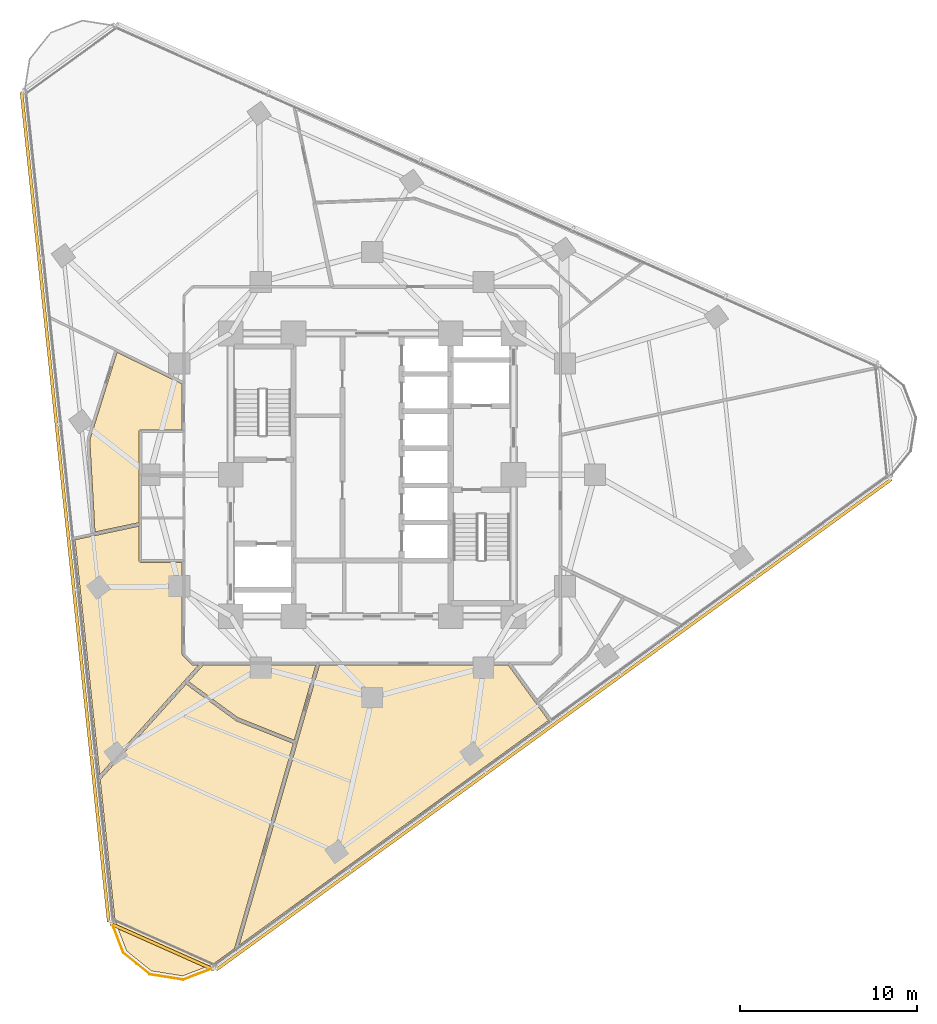
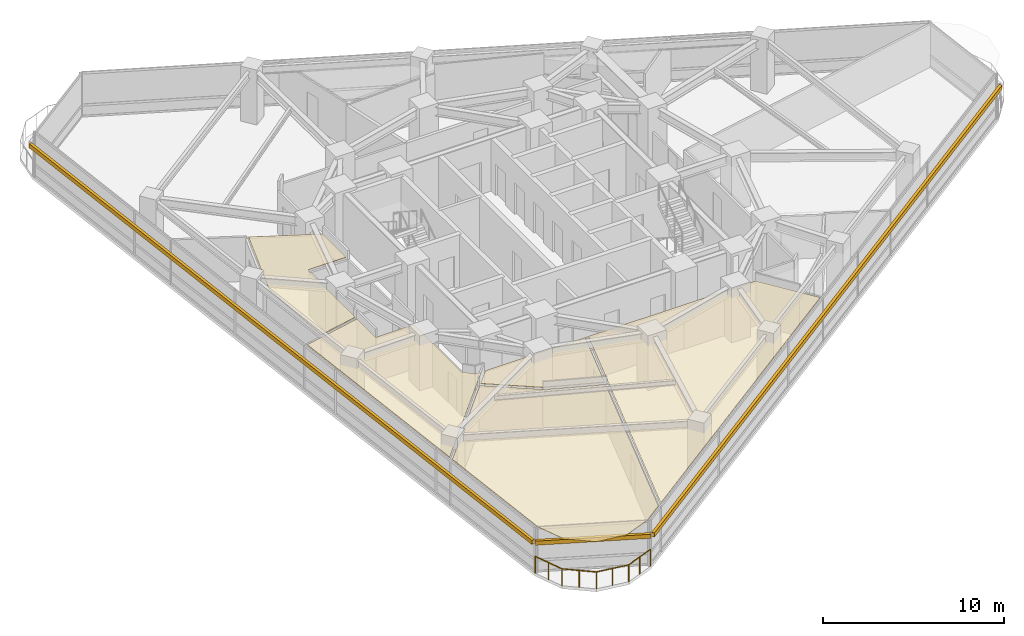
# One storey, part 12 of 14: 5 coverings, 3 shading devices, 1 railing.
"""IFC4 building model written with IfcOpenShell, lengths in metres."""

from ifc_helpers import new_model, si_unit, direction, frame, origin, origin_2d, place, context, subcontext, project, spatial, polyline, rectangle, circle, outline, extrude, material, layer, layer_set, type_object, element, save


model = new_model("IFC4")

# Units and contexts
model_context = context("Model", 3, precision=1e-05, world=origin(), true_north=direction((0.0, 1.0)))
body_context = subcontext(model_context, "Body", "Model", "MODEL_VIEW")
ifc_project = project(units=[si_unit("LENGTHUNIT", "METRE"), si_unit("AREAUNIT", "SQUARE_METRE"), si_unit("VOLUMEUNIT", "CUBIC_METRE"), si_unit("PLANEANGLEUNIT", "RADIAN"), si_unit("MASSUNIT", "GRAM", prefix="KILO")], contexts=[model_context])

# Site, building, storey
site_placement = place(None, origin())
site = spatial("IfcSite", under=ifc_project, at=site_placement, CompositionType="ELEMENT")
building_placement = place(site_placement, origin())
building = spatial("IfcBuilding", under=site, at=building_placement, Name="Terralouvre Media Tower", CompositionType="ELEMENT")
storey_placement = place(building_placement, frame((0.0, 0.0, 173.10009765625)))
storey = spatial("IfcBuildingStorey", under=building, at=storey_placement, Name="L44", CompositionType="ELEMENT", Elevation=173.10009765625)

# Coverings
ifc_material_1 = material(Name="Perforated aluminium acoustic ceiling baffle", Category="aluminium")
ifc_layer_1 = layer(ifc_material_1, 0.0400390625, Name="Perforated Acoustic Metal Tile Ceiling CL-AC1")
ifc_layer_set_1 = layer_set([ifc_layer_1], Name="Perforated aluminium acoustic ceiling baffle")
covering_type = type_object("IfcCoveringType", Name="Perforated Acoustic Metal Tile Ceiling CL-AC1", PredefinedType="CEILING", material=ifc_layer_set_1)
covering_1_placement = place(storey_placement, frame((0.0, 0.0, 2.97998046875), z_axis=(0.0, 0.0, 1.0), x_axis=(0.809016994375, 0.587785252292, 0.0)))
element("IfcCovering", 1, at=covering_1_placement, inside=storey, type_object=covering_type, Name="L44 Journalism Training Classroom 1 Acoustic Ceiling", PredefinedType="CEILING", context=body_context, shape_type="SweptSolid", body=[
    extrude(outline(polyline([(-14.258056640625, -2.9287109375), (-14.5302734375, -2.73095703125), (-14.537841796875, -2.724853515625), (-14.544921875, -2.718017578125), (-14.55126953125, -2.71044921875), (-14.556640625, -2.7021484375), (-14.561279296875, -2.693603515625), (-14.565185546875, -2.6845703125), (-14.568115234375, -2.67529296875), (-14.570068359375, -2.665771484375), (-14.680908203125, -1.96728515625), (-14.681884765625, -1.95751953125), (-14.681884765625, -1.94775390625), (-14.68115234375, -1.93798828125), (-14.67919921875, -1.92822265625), (-14.676513671875, -1.918701171875), (-14.6728515625, -1.90966796875), (-14.668212890625, -1.901123046875), (-14.662841796875, -1.892822265625), (-11.6064453125, 2.31396484375), (-13.507568359375, 3.6953125), (-13.515380859375, 3.701416015625), (-13.522216796875, 3.708251953125), (-13.528564453125, 3.7158203125), (-13.5341796875, 3.72412109375), (-13.538818359375, 3.732666015625), (-13.542724609375, 3.74169921875), (-13.545654296875, 3.7509765625), (-13.547607421875, 3.760498046875), (-13.548583984375, 3.7705078125), (-13.548828125, 3.780029296875), (-13.5478515625, 3.7900390625), (-13.546142578125, 3.799560546875), (-13.54345703125, 3.80908203125), (-13.539794921875, 3.818115234375), (-13.53515625, 3.826904296875), (-13.52978515625, 3.8349609375), (-12.387939453125, 5.406494140625), (-14.775390625, 6.469482421875), (-15.7626953125, 6.908447265625), (-22.447265625, -4.668701171875), (-15.429931640625, -3.177490234375), (-14.258056640625, -2.9287109375)])), origin(), (0.0, 0.0, 1.0), 0.0400390625),
])
covering_2_placement = place(storey_placement, frame((0.0, 0.0, 2.97998046875), z_axis=(0.0, 0.0, 1.0), x_axis=(0.809016994375, 0.587785252292, 0.0)))
element("IfcCovering", 2, at=covering_2_placement, inside=storey, type_object=covering_type, Name="L44 Broadcast Ethics Seminar Room 2 Acoustic Ceiling", PredefinedType="CEILING", context=body_context, shape_type="SweptSolid", body=[
    extrude(outline(polyline([(-14.228271484375, -6.634765625), (-12.387939453125, -9.5517578125), (-8.896728515625, -6.82373046875), (-14.040283203125, -3.0869140625), (-15.280029296875, -3.35009765625), (-14.228271484375, -6.634765625)])), origin(), (0.0, 0.0, 1.0), 0.0400390625),
])
covering_3_placement = place(storey_placement, frame((0.0, 0.0, 2.97998046875), z_axis=(0.0, 0.0, 1.0), x_axis=(0.809016994375, 0.587785252292, 0.0)))
element("IfcCovering", 3, at=covering_3_placement, inside=storey, type_object=covering_type, Name="L44 Voice Coaching Interview Room 3 Acoustic Ceiling", PredefinedType="CEILING", context=body_context, shape_type="SweptSolid", body=[
    extrude(outline(polyline([(-14.404296875, -6.730712890625), (-14.408447265625, -6.723388671875), (-14.411865234375, -6.7158203125), (-14.4150390625, -6.7080078125), (-15.476806640625, -3.391845703125), (-22.581787109375, -4.901611328125), (-26.59912109375, -11.860107421875), (-27.072509765625, -13.62548828125), (-26.60693359375, -15.362060546875), (-25.3359375, -16.632568359375), (-23.571044921875, -17.10546875), (-22.056396484375, -17.105712890625), (-12.54638671875, -9.675537109375), (-14.404296875, -6.730712890625)])), origin(), (0.0, 0.0, 1.0), 0.0400390625),
])
covering_4_placement = place(storey_placement, frame((0.0, 0.0, 2.97998046875), z_axis=(0.0, 0.0, 1.0), x_axis=(0.809016994375, 0.587785252292, 0.0)))
element("IfcCovering", 4, at=covering_4_placement, inside=storey, type_object=covering_type, Name="L44 Digital Editing Lecture Room 4 Acoustic Ceiling", PredefinedType="CEILING", context=body_context, shape_type="SweptSolid", body=[
    extrude(outline(polyline([(-0.099853515625, -13.21533203125), (-8.728515625, -6.946044921875), (-12.35205078125, -9.777587890625), (-21.731689453125, -17.105712890625), (-0.100341796875, -17.10595703125), (-0.099853515625, -15.84912109375), (-0.099853515625, -13.21533203125)])), origin(), (0.0, 0.0, 1.0), 0.0400390625),
])
covering_5_placement = place(storey_placement, frame((0.0, 0.0, 2.97998046875), z_axis=(0.0, 0.0, 1.0), x_axis=(0.809016994375, 0.587785252292, 0.0)))
element("IfcCovering", 5, at=covering_5_placement, inside=storey, type_object=covering_type, Name="L44 Admissions Reception 13 Acoustic Ceiling", PredefinedType="CEILING", context=body_context, shape_type="SweptSolid", body=[
    extrude(outline(polyline([(-11.7734375, 10.978759765625), (-14.587646484375, 6.604736328125), (-12.267822265625, 5.572021484375), (-9.239013671875, 9.740966796875), (-9.232666015625, 9.74853515625), (-9.225830078125, 9.755615234375), (-9.218505859375, 9.76171875), (-9.210205078125, 9.767333984375), (-9.20166015625, 9.77197265625), (-9.192626953125, 9.77587890625), (-9.183349609375, 9.77880859375), (-9.173583984375, 9.78076171875), (-9.163818359375, 9.781982421875), (-9.154296875, 9.781982421875), (-9.144287109375, 9.781005859375), (-9.134765625, 9.779296875), (-9.125244140625, 9.776611328125), (-9.1162109375, 9.77294921875), (-9.107421875, 9.768310546875), (-9.099365234375, 9.762939453125), (-7.197998046875, 8.381591796875), (-5.6806640625, 10.47021484375), (-7.605712890625, 14.091796875), (-11.7734375, 10.978759765625)])), origin(), (0.0, 0.0, 1.0), 0.0400390625),
])

# Railing
ifc_material_2 = material(Name="Stainless steel 316 handrail and balustrade", Category="steel")
ifc_layer_2 = layer(ifc_material_2, 0.06005859375, Name="Roof Edge Safety Guardrail GR-ROOF1")
ifc_layer_set_2 = layer_set([ifc_layer_2], Name="Stainless steel 316 handrail and balustrade")
railing_type = type_object("IfcRailingType", Name="Roof Edge Safety Guardrail GR-ROOF1", PredefinedType="GUARDRAIL", material=ifc_layer_set_2)
railing_placement = place(storey_placement, frame((-14.756103515625, -25.268798828125, 0.0)))
element("IfcRailing", 6, at=railing_placement, inside=storey, type_object=railing_type, Name="L44 Wind-Corner Perimeter Safety Guardrail C0", PredefinedType="GUARDRAIL", context=body_context, shape_type="SweptSolid", body=[
    extrude(circle(Radius=0.02099609375, at=origin_2d()), frame((0.0, 0.0, 1.12890625), z_axis=(0.358184292829, -0.933650904981, 0.0), x_axis=(0.933650904981, 0.358184292829, 0.0)), (0.0, 0.0, 1.0), 1.91455078125),
    extrude(circle(Radius=0.02099609375, at=origin_2d()), frame((0.685791015625, -1.78759765625, 1.12890625), z_axis=(0.777022086472, -0.62947333314, 0.0), x_axis=(0.62947333314, 0.777022086472, 0.0)), (0.0, 0.0, 1.0), 1.914306640625),
    extrude(circle(Radius=0.02099609375, at=origin_2d()), frame((2.17333984375, -2.99267578125, 1.12890625), z_axis=(0.987721569441, -0.156224521958, 0.0), x_axis=(0.156224521958, 0.987721569441, 0.0)), (0.0, 0.0, 1.0), 1.914306640625),
    extrude(circle(Radius=0.02099609375, at=origin_2d()), frame((4.064208984375, -3.291748046875, 1.12890625), z_axis=(0.933506543973, 0.358560360832, 0.0), x_axis=(-0.358560360832, 0.933506543973, 0.0)), (0.0, 0.0, 1.0), 1.91455078125),
    extrude(circle(Radius=0.01904296875, at=origin_2d()), origin(), (0.0, 0.0, 1.0), 1.10791015625),
    extrude(circle(Radius=0.01904296875, at=origin_2d()), frame((0.3427734375, -0.893798828125, 0.0)), (0.0, 0.0, 1.0), 1.10791015625),
    extrude(circle(Radius=0.01904296875, at=origin_2d()), frame((0.685791015625, -1.78759765625, 0.0)), (0.0, 0.0, 1.0), 1.10791015625),
    extrude(circle(Radius=0.01904296875, at=origin_2d()), frame((1.4296875, -2.39013671875, 0.0)), (0.0, 0.0, 1.0), 1.10791015625),
    extrude(circle(Radius=0.01904296875, at=origin_2d()), frame((2.17333984375, -2.99267578125, 0.0)), (0.0, 0.0, 1.0), 1.10791015625),
    extrude(circle(Radius=0.01904296875, at=origin_2d()), frame((3.11865234375, -3.14208984375, 0.0)), (0.0, 0.0, 1.0), 1.10791015625),
    extrude(circle(Radius=0.01904296875, at=origin_2d()), frame((4.064208984375, -3.291748046875, 0.0)), (0.0, 0.0, 1.0), 1.10791015625),
    extrude(circle(Radius=0.01904296875, at=origin_2d()), frame((4.9580078125, -2.948486328125, 0.0)), (0.0, 0.0, 1.0), 1.10791015625),
    extrude(circle(Radius=0.01904296875, at=origin_2d()), frame((5.8515625, -2.605224609375, 0.0)), (0.0, 0.0, 1.0), 1.10791015625),
])

# Shading devices
ifc_material_3 = material(Name="Extruded terracotta baguette sunshade louvres", Category="masonry")
shading_device_type = type_object("IfcShadingDeviceType", Name="Terracotta Baguette Sunshade Louvre Screen TB-LV1", PredefinedType="USERDEFINED", material=ifc_material_3)
for number, where, z_axis, x_axis, name in (
    (7, (10.265869140625, -14.1298828125, 2.02392578125), (0.0, 0.0, 1.0), (0.809016917383, 0.587785358263, 0.0), "CW-L44-F0 Terracotta Baguette Sunshade Louvre"),
    (8, (-17.369873046875, -1.82568359375, 2.02392578125), (0.0, 0.0, 1.0), (0.104528376236, -0.994521904516, 0.0), "CW-L44-F2 Terracotta Baguette Sunshade Louvre"),
):
    element("IfcShadingDevice", number, at=place(storey_placement, frame(where, z_axis=z_axis, x_axis=x_axis)), inside=storey, type_object=shading_device_type, Name=name, ObjectType="BAGUETTE", PredefinedType="USERDEFINED", context=body_context, shape_type="SweptSolid", body=[
        extrude(rectangle(XDim=47.199951171875, YDim=0.179931640625, at=origin_2d()), origin(), (0.0, 0.0, 1.0), 0.280029296875),
    ])
shading_device_placement = place(storey_placement, frame((-11.88525390625, -26.694580078125, 2.02392578125), z_axis=(0.0, 0.0, 1.0), x_axis=(0.913545408199, -0.406736754128, 0.0)))
element("IfcShadingDevice", 9, at=shading_device_placement, inside=storey, type_object=shading_device_type, Name="CW-L44-C0 Terracotta Baguette Sunshade Louvre", ObjectType="BAGUETTE", PredefinedType="USERDEFINED", context=body_context, shape_type="SweptSolid", body=[
    extrude(rectangle(XDim=6.40869140625, YDim=0.179931640625, at=origin_2d()), origin(), (0.0, 0.0, 1.0), 0.280029296875),
])

save(model, "model.ifc")
